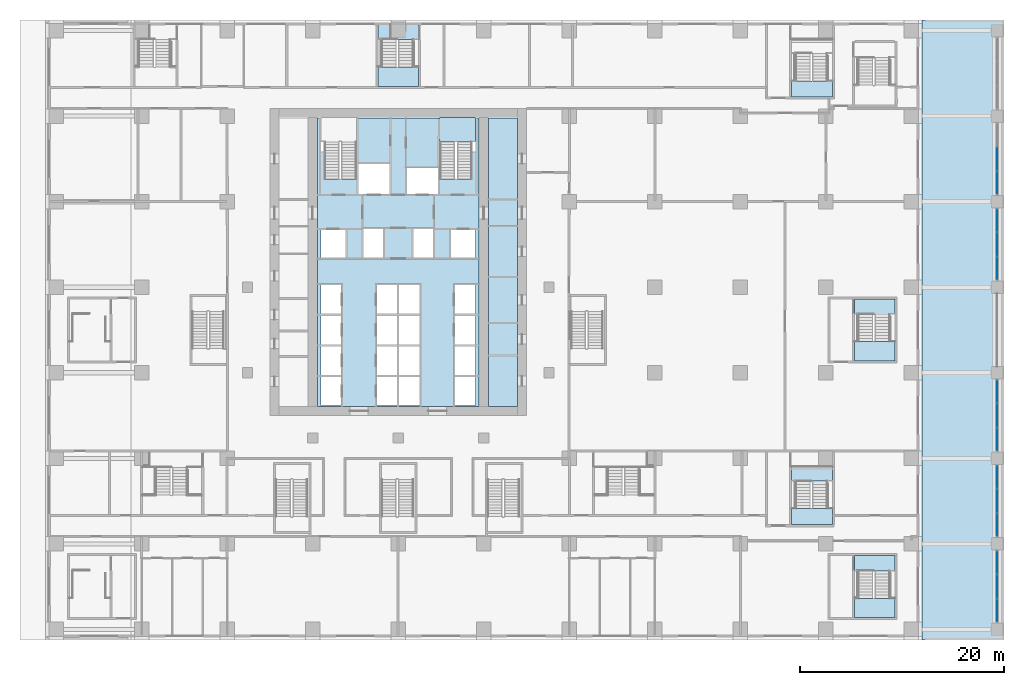
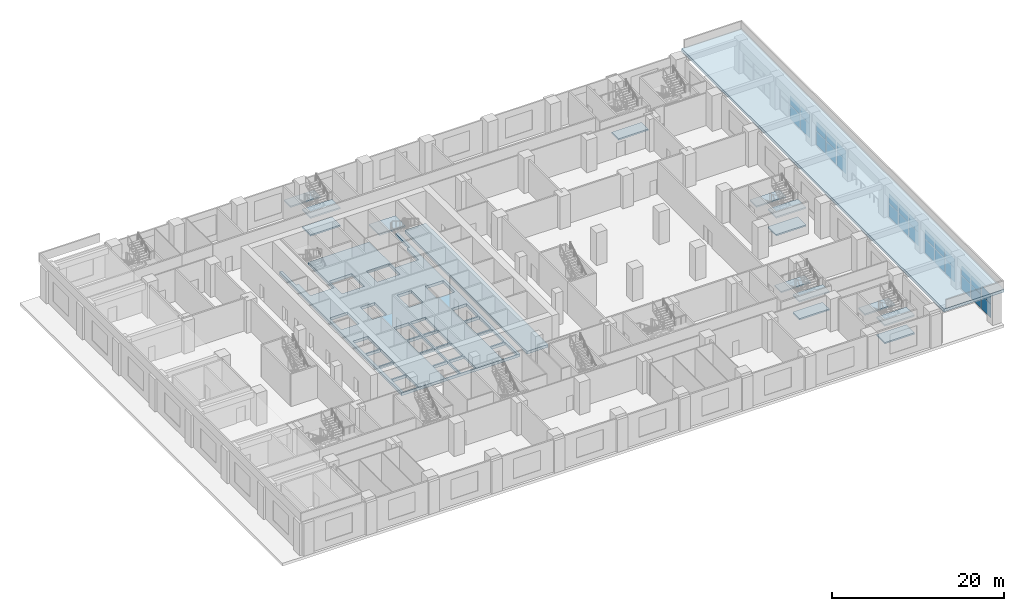
# One storey, part 6 of 29: 28 plates, 17 slabs, 11 elements without a shape of their own.
"""IFC4 building model written with IfcOpenShell, lengths in metres."""

from ifc_helpers import new_model, si_unit, direction, frame, origin, origin_2d, place, context, subcontext, project, spatial, polyline, rectangle, outline, extrude, material, layer, layer_set, type_object, element, aggregate, save


model = new_model("IFC4")

# Units and contexts
model_context = context("Model", 3, precision=1e-05, world=origin(), true_north=direction((0.0, 1.0)))
body_context = subcontext(model_context, "Body", "Model", "MODEL_VIEW")
ifc_project = project(units=[si_unit("LENGTHUNIT", "METRE"), si_unit("AREAUNIT", "SQUARE_METRE"), si_unit("VOLUMEUNIT", "CUBIC_METRE"), si_unit("PLANEANGLEUNIT", "RADIAN"), si_unit("MASSUNIT", "GRAM", prefix="KILO")], contexts=[model_context])

# Site, building, storey
site_placement = place(None, origin())
site = spatial("IfcSite", under=ifc_project, at=site_placement, CompositionType="ELEMENT")
building_placement = place(site_placement, origin())
building = spatial("IfcBuilding", under=site, at=building_placement, Name="Vermilion Ogive Tower", CompositionType="ELEMENT")
storey_placement = place(building_placement, frame((0.0, 0.0, 7.5)))
storey = spatial("IfcBuildingStorey", under=building, at=storey_placement, Name="L01", CompositionType="ELEMENT", Elevation=7.5)

# Curtain wall, plates
ifc_material_1 = material(Name="Clear double glazing in aluminium frame", Category="aluminium")
curtain_wall_type = type_object("IfcCurtainWallType", Name="Curtain wall CW2", PredefinedType="NOTDEFINED", material=ifc_material_1)
curtain_wall_1_placement = place(storey_placement, origin())
curtain_wall_1 = element("IfcCurtainWall", 1, at=curtain_wall_1_placement, inside=storey, type_object=curtain_wall_type, Name="CW2 arcade glazing L01 1", PredefinedType="NOTDEFINED")
ifc_material_2 = material(Name="Clear double glazing in aluminium frame", Category="aluminium")
ifc_layer_1 = layer(ifc_material_2, 0.031982421875)
ifc_layer_set_1 = layer_set([ifc_layer_1], Name="CW2 glazing panel 32")
plate_type = type_object("IfcPlateType", Name="CW2 glazing panel 32", PredefinedType="CURTAIN_PANEL", material=ifc_layer_set_1)
plate_1_placement = place(storey_placement, frame((58.800048828125, -27.554931640625, 0.06005859375), z_axis=(0.0, 0.0, 1.0), x_axis=(0.0, 1.0, 0.0)))
plate_1 = element("IfcPlate", 2, at=plate_1_placement, type_object=plate_type, Name="CW2-011 panel 1.1", PredefinedType="CURTAIN_PANEL", context=body_context, shape_type="SweptSolid", body=[
    extrude(rectangle(XDim=2.1298828125, YDim=0.031982421875, at=origin_2d()), origin(), (0.0, 0.0, 1.0), 1.949951171875),
])
plate_2_placement = place(storey_placement, frame((58.800048828125, -27.554931640625, 2.070068359375), z_axis=(0.0, 0.0, 1.0), x_axis=(0.0, 1.0, 0.0)))
plate_2 = element("IfcPlate", 3, at=plate_2_placement, type_object=plate_type, Name="CW2-011 panel 1.2", PredefinedType="CURTAIN_PANEL", context=body_context, shape_type="SweptSolid", body=[
    extrude(rectangle(XDim=2.1298828125, YDim=0.031982421875, at=origin_2d()), origin(), (0.0, 0.0, 1.0), 1.27001953125),
])
plate_3_placement = place(storey_placement, frame((58.800048828125, -25.199951171875, 0.06005859375), z_axis=(0.0, 0.0, 1.0), x_axis=(0.0, 1.0, 0.0)))
plate_3 = element("IfcPlate", 4, at=plate_3_placement, type_object=plate_type, Name="CW2-011 panel 2.1", PredefinedType="CURTAIN_PANEL", context=body_context, shape_type="SweptSolid", body=[
    extrude(rectangle(XDim=2.219970703125, YDim=0.031982421875, at=origin_2d()), origin(), (0.0, 0.0, 1.0), 1.949951171875),
])
plate_4_placement = place(storey_placement, frame((58.800048828125, -25.199951171875, 2.070068359375), z_axis=(0.0, 0.0, 1.0), x_axis=(0.0, 1.0, 0.0)))
plate_4 = element("IfcPlate", 5, at=plate_4_placement, type_object=plate_type, Name="CW2-011 panel 2.2", PredefinedType="CURTAIN_PANEL", context=body_context, shape_type="SweptSolid", body=[
    extrude(rectangle(XDim=2.219970703125, YDim=0.031982421875, at=origin_2d()), origin(), (0.0, 0.0, 1.0), 1.27001953125),
])
plate_5_placement = place(storey_placement, frame((58.800048828125, -22.844970703125, 0.06005859375), z_axis=(0.0, 0.0, 1.0), x_axis=(0.0, 1.0, 0.0)))
plate_5 = element("IfcPlate", 6, at=plate_5_placement, type_object=plate_type, Name="CW2-011 panel 3.1", PredefinedType="CURTAIN_PANEL", context=body_context, shape_type="SweptSolid", body=[
    extrude(rectangle(XDim=2.1298828125, YDim=0.031982421875, at=origin_2d()), origin(), (0.0, 0.0, 1.0), 1.949951171875),
])
plate_6_placement = place(storey_placement, frame((58.800048828125, -22.844970703125, 2.070068359375), z_axis=(0.0, 0.0, 1.0), x_axis=(0.0, 1.0, 0.0)))
plate_6 = element("IfcPlate", 7, at=plate_6_placement, type_object=plate_type, Name="CW2-011 panel 3.2", PredefinedType="CURTAIN_PANEL", context=body_context, shape_type="SweptSolid", body=[
    extrude(rectangle(XDim=2.1298828125, YDim=0.031982421875, at=origin_2d()), origin(), (0.0, 0.0, 1.0), 1.27001953125),
])
aggregate(curtain_wall_1, [plate_1, plate_2, plate_3, plate_4, plate_5, plate_6])

curtain_wall_2_placement = place(storey_placement, origin())
curtain_wall_2 = element("IfcCurtainWall", 8, at=curtain_wall_2_placement, inside=storey, type_object=curtain_wall_type, Name="CW2 arcade glazing L01 2", PredefinedType="NOTDEFINED")
plate_7_placement = place(storey_placement, frame((58.800048828125, -19.155029296875, 0.06005859375), z_axis=(0.0, 0.0, 1.0), x_axis=(0.0, 1.0, 0.0)))
plate_7 = element("IfcPlate", 9, at=plate_7_placement, type_object=plate_type, Name="CW2-012 panel 1.1", PredefinedType="CURTAIN_PANEL", context=body_context, shape_type="SweptSolid", body=[
    extrude(rectangle(XDim=2.1298828125, YDim=0.031982421875, at=origin_2d()), origin(), (0.0, 0.0, 1.0), 1.949951171875),
])
plate_8_placement = place(storey_placement, frame((58.800048828125, -19.155029296875, 2.070068359375), z_axis=(0.0, 0.0, 1.0), x_axis=(0.0, 1.0, 0.0)))
plate_8 = element("IfcPlate", 10, at=plate_8_placement, type_object=plate_type, Name="CW2-012 panel 1.2", PredefinedType="CURTAIN_PANEL", context=body_context, shape_type="SweptSolid", body=[
    extrude(rectangle(XDim=2.1298828125, YDim=0.031982421875, at=origin_2d()), origin(), (0.0, 0.0, 1.0), 1.27001953125),
])
plate_9_placement = place(storey_placement, frame((58.800048828125, -16.800048828125, 0.06005859375), z_axis=(0.0, 0.0, 1.0), x_axis=(0.0, 1.0, 0.0)))
plate_9 = element("IfcPlate", 11, at=plate_9_placement, type_object=plate_type, Name="CW2-012 panel 2.1", PredefinedType="CURTAIN_PANEL", context=body_context, shape_type="SweptSolid", body=[
    extrude(rectangle(XDim=2.219970703125, YDim=0.031982421875, at=origin_2d()), origin(), (0.0, 0.0, 1.0), 1.949951171875),
])
plate_10_placement = place(storey_placement, frame((58.800048828125, -16.800048828125, 2.070068359375), z_axis=(0.0, 0.0, 1.0), x_axis=(0.0, 1.0, 0.0)))
plate_10 = element("IfcPlate", 12, at=plate_10_placement, type_object=plate_type, Name="CW2-012 panel 2.2", PredefinedType="CURTAIN_PANEL", context=body_context, shape_type="SweptSolid", body=[
    extrude(rectangle(XDim=2.219970703125, YDim=0.031982421875, at=origin_2d()), origin(), (0.0, 0.0, 1.0), 1.27001953125),
])
plate_11_placement = place(storey_placement, frame((58.800048828125, -14.445068359375, 0.06005859375), z_axis=(0.0, 0.0, 1.0), x_axis=(0.0, 1.0, 0.0)))
plate_11 = element("IfcPlate", 13, at=plate_11_placement, type_object=plate_type, Name="CW2-012 panel 3.1", PredefinedType="CURTAIN_PANEL", context=body_context, shape_type="SweptSolid", body=[
    extrude(rectangle(XDim=2.1298828125, YDim=0.031982421875, at=origin_2d()), origin(), (0.0, 0.0, 1.0), 1.949951171875),
])
plate_12_placement = place(storey_placement, frame((58.800048828125, -14.445068359375, 2.070068359375), z_axis=(0.0, 0.0, 1.0), x_axis=(0.0, 1.0, 0.0)))
plate_12 = element("IfcPlate", 14, at=plate_12_placement, type_object=plate_type, Name="CW2-012 panel 3.2", PredefinedType="CURTAIN_PANEL", context=body_context, shape_type="SweptSolid", body=[
    extrude(rectangle(XDim=2.1298828125, YDim=0.031982421875, at=origin_2d()), origin(), (0.0, 0.0, 1.0), 1.27001953125),
])
aggregate(curtain_wall_2, [plate_7, plate_8, plate_9, plate_10, plate_11, plate_12])

curtain_wall_3_placement = place(storey_placement, origin())
curtain_wall_3 = element("IfcCurtainWall", 15, at=curtain_wall_3_placement, inside=storey, type_object=curtain_wall_type, Name="CW2 arcade glazing L01 3", PredefinedType="NOTDEFINED")
plate_13_placement = place(storey_placement, frame((58.800048828125, -10.7548828125, 0.06005859375), z_axis=(0.0, 0.0, 1.0), x_axis=(0.0, 1.0, 0.0)))
plate_13 = element("IfcPlate", 16, at=plate_13_placement, type_object=plate_type, Name="CW2-013 panel 1.1", PredefinedType="CURTAIN_PANEL", context=body_context, shape_type="SweptSolid", body=[
    extrude(rectangle(XDim=2.1298828125, YDim=0.031982421875, at=origin_2d()), origin(), (0.0, 0.0, 1.0), 1.949951171875),
])
plate_14_placement = place(storey_placement, frame((58.800048828125, -10.7548828125, 2.070068359375), z_axis=(0.0, 0.0, 1.0), x_axis=(0.0, 1.0, 0.0)))
plate_14 = element("IfcPlate", 17, at=plate_14_placement, type_object=plate_type, Name="CW2-013 panel 1.2", PredefinedType="CURTAIN_PANEL", context=body_context, shape_type="SweptSolid", body=[
    extrude(rectangle(XDim=2.1298828125, YDim=0.031982421875, at=origin_2d()), origin(), (0.0, 0.0, 1.0), 1.27001953125),
])
plate_15_placement = place(storey_placement, frame((58.800048828125, -8.39990234375, 0.06005859375), z_axis=(0.0, 0.0, 1.0), x_axis=(0.0, 1.0, 0.0)))
plate_15 = element("IfcPlate", 18, at=plate_15_placement, type_object=plate_type, Name="CW2-013 panel 2.1", PredefinedType="CURTAIN_PANEL", context=body_context, shape_type="SweptSolid", body=[
    extrude(rectangle(XDim=2.219970703125, YDim=0.031982421875, at=origin_2d()), origin(), (0.0, 0.0, 1.0), 1.949951171875),
])
plate_16_placement = place(storey_placement, frame((58.800048828125, -8.39990234375, 2.070068359375), z_axis=(0.0, 0.0, 1.0), x_axis=(0.0, 1.0, 0.0)))
plate_16 = element("IfcPlate", 19, at=plate_16_placement, type_object=plate_type, Name="CW2-013 panel 2.2", PredefinedType="CURTAIN_PANEL", context=body_context, shape_type="SweptSolid", body=[
    extrude(rectangle(XDim=2.219970703125, YDim=0.031982421875, at=origin_2d()), origin(), (0.0, 0.0, 1.0), 1.27001953125),
])
plate_17_placement = place(storey_placement, frame((58.800048828125, -6.044921875, 0.06005859375), z_axis=(0.0, 0.0, 1.0), x_axis=(0.0, 1.0, 0.0)))
plate_17 = element("IfcPlate", 20, at=plate_17_placement, type_object=plate_type, Name="CW2-013 panel 3.1", PredefinedType="CURTAIN_PANEL", context=body_context, shape_type="SweptSolid", body=[
    extrude(rectangle(XDim=2.1298828125, YDim=0.031982421875, at=origin_2d()), origin(), (0.0, 0.0, 1.0), 1.949951171875),
])
plate_18_placement = place(storey_placement, frame((58.800048828125, -6.044921875, 2.070068359375), z_axis=(0.0, 0.0, 1.0), x_axis=(0.0, 1.0, 0.0)))
plate_18 = element("IfcPlate", 21, at=plate_18_placement, type_object=plate_type, Name="CW2-013 panel 3.2", PredefinedType="CURTAIN_PANEL", context=body_context, shape_type="SweptSolid", body=[
    extrude(rectangle(XDim=2.1298828125, YDim=0.031982421875, at=origin_2d()), origin(), (0.0, 0.0, 1.0), 1.27001953125),
])
aggregate(curtain_wall_3, [plate_13, plate_14, plate_15, plate_16, plate_17, plate_18])

curtain_wall_4_placement = place(storey_placement, origin())
curtain_wall_4 = element("IfcCurtainWall", 22, at=curtain_wall_4_placement, inside=storey, type_object=curtain_wall_type, Name="CW2 arcade glazing L01 5", PredefinedType="NOTDEFINED")
plate_19_placement = place(storey_placement, frame((58.800048828125, 6.044921875, 0.06005859375), z_axis=(0.0, 0.0, 1.0), x_axis=(0.0, 1.0, 0.0)))
plate_19 = element("IfcPlate", 23, at=plate_19_placement, type_object=plate_type, Name="CW2-015 panel 1.1", PredefinedType="CURTAIN_PANEL", context=body_context, shape_type="SweptSolid", body=[
    extrude(rectangle(XDim=2.1298828125, YDim=0.031982421875, at=origin_2d()), origin(), (0.0, 0.0, 1.0), 1.949951171875),
])
plate_20_placement = place(storey_placement, frame((58.800048828125, 6.044921875, 2.070068359375), z_axis=(0.0, 0.0, 1.0), x_axis=(0.0, 1.0, 0.0)))
plate_20 = element("IfcPlate", 24, at=plate_20_placement, type_object=plate_type, Name="CW2-015 panel 1.2", PredefinedType="CURTAIN_PANEL", context=body_context, shape_type="SweptSolid", body=[
    extrude(rectangle(XDim=2.1298828125, YDim=0.031982421875, at=origin_2d()), origin(), (0.0, 0.0, 1.0), 1.27001953125),
])
plate_21_placement = place(storey_placement, frame((58.800048828125, 8.39990234375, 0.06005859375), z_axis=(0.0, 0.0, 1.0), x_axis=(0.0, 1.0, 0.0)))
plate_21 = element("IfcPlate", 25, at=plate_21_placement, type_object=plate_type, Name="CW2-015 panel 2.1", PredefinedType="CURTAIN_PANEL", context=body_context, shape_type="SweptSolid", body=[
    extrude(rectangle(XDim=2.219970703125, YDim=0.031982421875, at=origin_2d()), origin(), (0.0, 0.0, 1.0), 1.949951171875),
])
plate_22_placement = place(storey_placement, frame((58.800048828125, 8.39990234375, 2.070068359375), z_axis=(0.0, 0.0, 1.0), x_axis=(0.0, 1.0, 0.0)))
plate_22 = element("IfcPlate", 26, at=plate_22_placement, type_object=plate_type, Name="CW2-015 panel 2.2", PredefinedType="CURTAIN_PANEL", context=body_context, shape_type="SweptSolid", body=[
    extrude(rectangle(XDim=2.219970703125, YDim=0.031982421875, at=origin_2d()), origin(), (0.0, 0.0, 1.0), 1.27001953125),
])
plate_23_placement = place(storey_placement, frame((58.800048828125, 10.7548828125, 0.06005859375), z_axis=(0.0, 0.0, 1.0), x_axis=(0.0, 1.0, 0.0)))
plate_23 = element("IfcPlate", 27, at=plate_23_placement, type_object=plate_type, Name="CW2-015 panel 3.1", PredefinedType="CURTAIN_PANEL", context=body_context, shape_type="SweptSolid", body=[
    extrude(rectangle(XDim=2.1298828125, YDim=0.031982421875, at=origin_2d()), origin(), (0.0, 0.0, 1.0), 1.949951171875),
])
plate_24_placement = place(storey_placement, frame((58.800048828125, 10.7548828125, 2.070068359375), z_axis=(0.0, 0.0, 1.0), x_axis=(0.0, 1.0, 0.0)))
plate_24 = element("IfcPlate", 28, at=plate_24_placement, type_object=plate_type, Name="CW2-015 panel 3.2", PredefinedType="CURTAIN_PANEL", context=body_context, shape_type="SweptSolid", body=[
    extrude(rectangle(XDim=2.1298828125, YDim=0.031982421875, at=origin_2d()), origin(), (0.0, 0.0, 1.0), 1.27001953125),
])
aggregate(curtain_wall_4, [plate_19, plate_20, plate_21, plate_22, plate_23, plate_24])

curtain_wall_5_placement = place(storey_placement, origin())
curtain_wall_5 = element("IfcCurtainWall", 29, at=curtain_wall_5_placement, inside=storey, type_object=curtain_wall_type, Name="CW2 arcade glazing L01 6", PredefinedType="NOTDEFINED")
plate_25_placement = place(storey_placement, frame((58.800048828125, 14.445068359375, 0.06005859375), z_axis=(0.0, 0.0, 1.0), x_axis=(0.0, 1.0, 0.0)))
plate_25 = element("IfcPlate", 30, at=plate_25_placement, type_object=plate_type, Name="CW2-016 panel 1.1", PredefinedType="CURTAIN_PANEL", context=body_context, shape_type="SweptSolid", body=[
    extrude(rectangle(XDim=2.1298828125, YDim=0.031982421875, at=origin_2d()), origin(), (0.0, 0.0, 1.0), 1.949951171875),
])
plate_26_placement = place(storey_placement, frame((58.800048828125, 14.445068359375, 2.070068359375), z_axis=(0.0, 0.0, 1.0), x_axis=(0.0, 1.0, 0.0)))
plate_26 = element("IfcPlate", 31, at=plate_26_placement, type_object=plate_type, Name="CW2-016 panel 1.2", PredefinedType="CURTAIN_PANEL", context=body_context, shape_type="SweptSolid", body=[
    extrude(rectangle(XDim=2.1298828125, YDim=0.031982421875, at=origin_2d()), origin(), (0.0, 0.0, 1.0), 1.27001953125),
])
plate_27_placement = place(storey_placement, frame((58.800048828125, 16.800048828125, 0.06005859375), z_axis=(0.0, 0.0, 1.0), x_axis=(0.0, 1.0, 0.0)))
plate_27 = element("IfcPlate", 32, at=plate_27_placement, type_object=plate_type, Name="CW2-016 panel 2.1", PredefinedType="CURTAIN_PANEL", context=body_context, shape_type="SweptSolid", body=[
    extrude(rectangle(XDim=2.219970703125, YDim=0.031982421875, at=origin_2d()), origin(), (0.0, 0.0, 1.0), 1.949951171875),
])
plate_28_placement = place(storey_placement, frame((58.800048828125, 16.800048828125, 2.070068359375), z_axis=(0.0, 0.0, 1.0), x_axis=(0.0, 1.0, 0.0)))
plate_28 = element("IfcPlate", 33, at=plate_28_placement, type_object=plate_type, Name="CW2-016 panel 2.2", PredefinedType="CURTAIN_PANEL", context=body_context, shape_type="SweptSolid", body=[
    extrude(rectangle(XDim=2.219970703125, YDim=0.031982421875, at=origin_2d()), origin(), (0.0, 0.0, 1.0), 1.27001953125),
])
aggregate(curtain_wall_5, [plate_25, plate_26, plate_27, plate_28])

# Slabs
ifc_material_3 = material(Name="Concrete B40", Category="concrete")
ifc_layer_2 = layer(ifc_material_3, 0.39990234375)
ifc_layer_set_2 = layer_set([ifc_layer_2], Name="Core floor slab 400 B40")
slab_type_1 = type_object("IfcSlabType", Name="Core floor slab 400 B40", PredefinedType="FLOOR", material=ifc_layer_set_2)
slab_1_placement = place(storey_placement, frame((0.0, 0.0, -0.39990234375)))
element("IfcSlab", 34, at=slab_1_placement, inside=storey, type_object=slab_type_1, Name="L01-CK-FS2", PredefinedType="FLOOR", context=body_context, shape_type="SweptSolid", body=[
    extrude(outline(polyline([(5.75, 14.85009765625), (5.60009765625, 14.85009765625), (5.60009765625, 14.85205078125), (4.10009765625, 14.85205078125), (4.10009765625, 17.550048828125), (4.074951171875, 17.550048828125), (4.074951171875, 20.845947265625), (-4.10009765625, 20.845947265625), (-4.10009765625, 14.85205078125), (-5.60009765625, 14.85205078125), (-5.60009765625, 14.85009765625), (-5.75, 14.85009765625), (-5.75, 14.85205078125), (-7.25, 14.85205078125), (-7.25, 17.550048828125), (-7.60009765625, 17.550048828125), (-7.60009765625, 20.845947265625), (-7.946044921875, 20.845947265625), (-7.946044921875, -7.49609375), (7.946044921875, -7.49609375), (7.946044921875, 20.845947265625), (7.60009765625, 20.845947265625), (7.60009765625, 17.550048828125), (7.25, 17.550048828125), (7.25, 14.85205078125), (5.75, 14.85205078125), (5.75, 14.85009765625)]), holes=[polyline([(-5.60009765625, -4.60009765625), (-5.60009765625, -7.39990234375), (-7.60009765625, -7.39990234375), (-7.60009765625, -4.60009765625), (-5.60009765625, -4.60009765625)]), polyline([(-2.10009765625, -4.60009765625), (-0.10009765625, -4.60009765625), (-0.10009765625, -7.39990234375), (-2.10009765625, -7.39990234375), (-2.10009765625, -4.60009765625)]), polyline([(-7.60009765625, -1.60009765625), (-5.60009765625, -1.60009765625), (-5.60009765625, -4.39990234375), (-7.60009765625, -4.39990234375), (-7.60009765625, -1.60009765625)]), polyline([(-2.10009765625, -1.60009765625), (-0.10009765625, -1.60009765625), (-0.10009765625, -4.39990234375), (-2.10009765625, -4.39990234375), (-2.10009765625, -1.60009765625)]), polyline([(-7.60009765625, 1.39990234375), (-5.60009765625, 1.39990234375), (-5.60009765625, -1.39990234375), (-7.60009765625, -1.39990234375), (-7.60009765625, 1.39990234375)]), polyline([(-2.10009765625, 1.39990234375), (-0.10009765625, 1.39990234375), (-0.10009765625, -1.39990234375), (-2.10009765625, -1.39990234375), (-2.10009765625, 1.39990234375)]), polyline([(-2.10009765625, 4.39990234375), (-0.10009765625, 4.39990234375), (-0.10009765625, 1.60009765625), (-2.10009765625, 1.60009765625), (-2.10009765625, 4.39990234375)]), polyline([(-5.60009765625, 4.39990234375), (-5.60009765625, 1.60009765625), (-7.60009765625, 1.60009765625), (-7.60009765625, 4.39990234375), (-5.60009765625, 4.39990234375)]), polyline([(-5.199951171875, 9.800048828125), (-5.199951171875, 7.10009765625), (-7.60009765625, 7.10009765625), (-7.60009765625, 9.800048828125), (-5.199951171875, 9.800048828125)]), polyline([(-3.39990234375, 9.89990234375), (-1.5, 9.89990234375), (-1.5, 7.10009765625), (-3.39990234375, 7.10009765625), (-3.39990234375, 9.89990234375)]), polyline([(-3.89990234375, 16.300048828125), (-0.85009765625, 16.300048828125), (-0.85009765625, 13.35009765625), (-3.89990234375, 13.35009765625), (-3.89990234375, 16.300048828125)]), polyline([(7.60009765625, -4.60009765625), (7.60009765625, -7.39990234375), (5.60009765625, -7.39990234375), (5.60009765625, -4.60009765625), (7.60009765625, -4.60009765625)]), polyline([(0.10009765625, -4.60009765625), (2.10009765625, -4.60009765625), (2.10009765625, -7.39990234375), (0.10009765625, -7.39990234375), (0.10009765625, -4.60009765625)]), polyline([(5.60009765625, -1.60009765625), (7.60009765625, -1.60009765625), (7.60009765625, -4.39990234375), (5.60009765625, -4.39990234375), (5.60009765625, -1.60009765625)]), polyline([(0.10009765625, -1.60009765625), (2.10009765625, -1.60009765625), (2.10009765625, -4.39990234375), (0.10009765625, -4.39990234375), (0.10009765625, -1.60009765625)]), polyline([(5.60009765625, 1.39990234375), (7.60009765625, 1.39990234375), (7.60009765625, -1.39990234375), (5.60009765625, -1.39990234375), (5.60009765625, 1.39990234375)]), polyline([(0.10009765625, 1.39990234375), (2.10009765625, 1.39990234375), (2.10009765625, -1.39990234375), (0.10009765625, -1.39990234375), (0.10009765625, 1.39990234375)]), polyline([(5.60009765625, 4.39990234375), (7.60009765625, 4.39990234375), (7.60009765625, 1.60009765625), (5.60009765625, 1.60009765625), (5.60009765625, 4.39990234375)]), polyline([(2.10009765625, 4.39990234375), (2.10009765625, 1.60009765625), (0.10009765625, 1.60009765625), (0.10009765625, 4.39990234375), (2.10009765625, 4.39990234375)]), polyline([(7.60009765625, 9.800048828125), (7.60009765625, 7.10009765625), (5.199951171875, 7.10009765625), (5.199951171875, 9.800048828125), (7.60009765625, 9.800048828125)]), polyline([(1.5, 9.89990234375), (3.39990234375, 9.89990234375), (3.39990234375, 7.10009765625), (1.5, 7.10009765625), (1.5, 9.89990234375)]), polyline([(0.85009765625, 15.89990234375), (3.89990234375, 15.89990234375), (3.89990234375, 13.35009765625), (0.85009765625, 13.35009765625), (0.85009765625, 15.89990234375)])]), origin(), (0.0, 0.0, 1.0), 0.39990234375),
])
slab_2_placement = place(storey_placement, frame((0.0, 0.0, -0.39990234375)))
element("IfcSlab", 35, at=slab_2_placement, inside=storey, type_object=slab_type_1, Name="L01-CK-FS3", PredefinedType="FLOOR", context=body_context, shape_type="SweptSolid", body=[
    extrude(outline(polyline([(8.85400390625, 20.845947265625), (11.696044921875, 20.845947265625), (11.696044921875, -7.49609375), (8.85400390625, -7.49609375), (8.85400390625, 20.845947265625)])), origin(), (0.0, 0.0, 1.0), 0.39990234375),
])
ifc_material_4 = material(Name="Concrete B45", Category="concrete")
ifc_layer_3 = layer(ifc_material_4, 0.39990234375)
ifc_layer_set_3 = layer_set([ifc_layer_3], Name="Podium roof slab 400")
slab_type_2 = type_object("IfcSlabType", Name="Podium roof slab 400", PredefinedType="ROOF", material=ifc_layer_set_3)
slab_3_placement = place(storey_placement, frame((0.0, 0.0, 4.60009765625)))
element("IfcSlab", 36, at=slab_3_placement, inside=storey, type_object=slab_type_2, Name="L01 terrace roof 1", PredefinedType="ROOF", context=body_context, shape_type="SweptSolid", body=[
    extrude(outline(polyline([(59.5, 30.449951171875), (51.450927734375, 30.449951171875), (51.450927734375, -30.449951171875), (59.5, -30.449951171875), (59.5, 30.449951171875)])), origin(), (0.0, 0.0, 1.0), 0.39990234375),
])

# Stair, slab
ifc_material_5 = material(Name="Concrete B40", Category="concrete")
stair_type = type_object("IfcStairType", Name="Exit stair 1500", PredefinedType="HALF_TURN_STAIR", material=ifc_material_5)
stair_1_placement = place(storey_placement, origin())
stair_1 = element("IfcStair", 37, at=stair_1_placement, inside=storey, type_object=stair_type, Name="L01 Exit Stair ST2", PredefinedType="HALF_TURN_STAIR")
ifc_material_6 = material(Name="Concrete B40", Category="concrete")
ifc_layer_4 = layer(ifc_material_6, 0.199951171875)
ifc_layer_set_4 = layer_set([ifc_layer_4], Name="Stair landing 200")
slab_type_3 = type_object("IfcSlabType", Name="Stair landing 200", PredefinedType="LANDING", material=ifc_layer_set_4)
slab_4_placement = place(storey_placement, frame((0.0, 0.0, 2.300048828125)))
slab_4 = element("IfcSlab", 38, at=slab_4_placement, type_object=slab_type_3, Name="ST2 landing 1", PredefinedType="LANDING", context=body_context, shape_type="SweptSolid", body=[
    extrude(outline(polyline([(5.60009765625, 18.489990234375), (5.75, 18.489990234375), (5.75, 18.488037109375), (7.25, 18.488037109375), (7.25, 18.489990234375), (7.60009765625, 18.489990234375), (7.60009765625, 20.85009765625), (4.074951171875, 20.85009765625), (4.074951171875, 18.489990234375), (4.10009765625, 18.489990234375), (4.10009765625, 18.488037109375), (5.60009765625, 18.488037109375), (5.60009765625, 18.489990234375)])), origin(), (0.0, 0.0, 1.0), 0.199951171875),
])
aggregate(stair_1, [slab_4])

stair_2_placement = place(storey_placement, origin())
stair_2 = element("IfcStair", 39, at=stair_2_placement, inside=storey, type_object=stair_type, Name="L01 Exit Stair PS2", PredefinedType="HALF_TURN_STAIR")
slab_5_placement = place(storey_placement, frame((0.0, 0.0, 1.050048828125)))
slab_5 = element("IfcSlab", 40, at=slab_5_placement, type_object=slab_type_3, Name="PS2 landing 1", PredefinedType="LANDING", context=body_context, shape_type="SweptSolid", body=[
    extrude(outline(polyline([(42.64990234375, 24.449951171875), (42.14990234375, 24.449951171875), (42.14990234375, 24.451904296875), (40.64990234375, 24.451904296875), (40.64990234375, 24.449951171875), (40.5, 24.449951171875), (40.5, 24.451904296875), (39.0, 24.451904296875), (39.0, 24.449951171875), (38.650146484375, 24.449951171875), (38.650146484375, 22.875), (42.64990234375, 22.875), (42.64990234375, 24.449951171875)])), origin(), (0.0, 0.0, 1.0), 0.199951171875),
])
aggregate(stair_2, [slab_5])

# Stair, slabs
stair_3_placement = place(storey_placement, origin())
stair_3 = element("IfcStair", 41, at=stair_3_placement, inside=storey, type_object=stair_type, Name="L01 Exit Stair PS5", PredefinedType="HALF_TURN_STAIR")
slab_6_placement = place(storey_placement, frame((0.0, 0.0, 1.050048828125)))
slab_6 = element("IfcSlab", 42, at=slab_6_placement, type_object=slab_type_3, Name="PS5 landing 1", PredefinedType="LANDING", context=body_context, shape_type="SweptSolid", body=[
    extrude(outline(polyline([(2.0, 25.85009765625), (1.5, 25.85009765625), (1.5, 25.85205078125), (0.0, 25.85205078125), (0.0, 25.85009765625), (-0.14990234375, 25.85009765625), (-0.14990234375, 25.85205078125), (-1.64990234375, 25.85205078125), (-1.64990234375, 25.85009765625), (-2.0, 25.85009765625), (-2.0, 23.925048828125), (2.0, 23.925048828125), (2.0, 25.85009765625)])), origin(), (0.0, 0.0, 1.0), 0.199951171875),
])
slab_7_placement = place(storey_placement, frame((0.0, 0.0, 2.300048828125)))
slab_7 = element("IfcSlab", 43, at=slab_7_placement, type_object=slab_type_3, Name="PS5 landing 2", PredefinedType="LANDING", context=body_context, shape_type="SweptSolid", body=[
    extrude(outline(polyline([(-2.0, 28.550048828125), (-1.64990234375, 28.550048828125), (-1.64990234375, 28.548095703125), (-0.14990234375, 28.548095703125), (-0.14990234375, 28.550048828125), (0.0, 28.550048828125), (0.0, 28.548095703125), (1.5, 28.548095703125), (1.5, 28.550048828125), (2.0, 28.550048828125), (2.0, 30.050048828125), (-2.0, 30.050048828125), (-2.0, 28.550048828125)])), origin(), (0.0, 0.0, 1.0), 0.199951171875),
])
slab_8_placement = place(storey_placement, frame((0.0, 0.0, 3.550048828125)))
slab_8 = element("IfcSlab", 44, at=slab_8_placement, type_object=slab_type_3, Name="PS5 landing 3", PredefinedType="LANDING", context=body_context, shape_type="SweptSolid", body=[
    extrude(outline(polyline([(2.0, 25.85009765625), (1.5, 25.85009765625), (1.5, 25.85205078125), (0.0, 25.85205078125), (0.0, 25.85009765625), (-0.14990234375, 25.85009765625), (-0.14990234375, 25.85205078125), (-1.64990234375, 25.85205078125), (-1.64990234375, 25.85009765625), (-2.0, 25.85009765625), (-2.0, 23.925048828125), (2.0, 23.925048828125), (2.0, 25.85009765625)])), origin(), (0.0, 0.0, 1.0), 0.199951171875),
])
aggregate(stair_3, [slab_6, slab_7, slab_8])

stair_4_placement = place(storey_placement, origin())
stair_4 = element("IfcStair", 45, at=stair_4_placement, inside=storey, type_object=stair_type, Name="L01 Exit Stair PS6", PredefinedType="HALF_TURN_STAIR")
slab_9_placement = place(storey_placement, frame((0.0, 0.0, 1.050048828125)))
slab_9 = element("IfcSlab", 46, at=slab_9_placement, type_object=slab_type_3, Name="PS6 landing 1", PredefinedType="LANDING", context=body_context, shape_type="SweptSolid", body=[
    extrude(outline(polyline([(42.64990234375, -17.550048828125), (42.14990234375, -17.550048828125), (42.14990234375, -17.548095703125), (40.64990234375, -17.548095703125), (40.64990234375, -17.550048828125), (40.5, -17.550048828125), (40.5, -17.548095703125), (39.0, -17.548095703125), (39.0, -17.550048828125), (38.650146484375, -17.550048828125), (38.650146484375, -19.125), (42.64990234375, -19.125), (42.64990234375, -17.550048828125)])), origin(), (0.0, 0.0, 1.0), 0.199951171875),
])
slab_10_placement = place(storey_placement, frame((0.0, 0.0, 2.300048828125)))
slab_10 = element("IfcSlab", 47, at=slab_10_placement, type_object=slab_type_3, Name="PS6 landing 2", PredefinedType="LANDING", context=body_context, shape_type="SweptSolid", body=[
    extrude(outline(polyline([(38.650146484375, -14.85009765625), (39.0, -14.85009765625), (39.0, -14.85205078125), (40.5, -14.85205078125), (40.5, -14.85009765625), (40.64990234375, -14.85009765625), (40.64990234375, -14.85205078125), (42.14990234375, -14.85205078125), (42.14990234375, -14.85009765625), (42.64990234375, -14.85009765625), (42.64990234375, -13.35009765625), (38.650146484375, -13.35009765625), (38.650146484375, -14.85009765625)])), origin(), (0.0, 0.0, 1.0), 0.199951171875),
])
slab_11_placement = place(storey_placement, frame((0.0, 0.0, 3.550048828125)))
slab_11 = element("IfcSlab", 48, at=slab_11_placement, type_object=slab_type_3, Name="PS6 landing 3", PredefinedType="LANDING", context=body_context, shape_type="SweptSolid", body=[
    extrude(outline(polyline([(42.64990234375, -17.550048828125), (42.14990234375, -17.550048828125), (42.14990234375, -17.548095703125), (40.64990234375, -17.548095703125), (40.64990234375, -17.550048828125), (40.5, -17.550048828125), (40.5, -17.548095703125), (39.0, -17.548095703125), (39.0, -17.550048828125), (38.650146484375, -17.550048828125), (38.650146484375, -19.125), (42.64990234375, -19.125), (42.64990234375, -17.550048828125)])), origin(), (0.0, 0.0, 1.0), 0.199951171875),
])
aggregate(stair_4, [slab_9, slab_10, slab_11])

stair_5_placement = place(storey_placement, origin())
stair_5 = element("IfcStair", 49, at=stair_5_placement, inside=storey, type_object=stair_type, Name="L01 Exit Stair PEC", PredefinedType="HALF_TURN_STAIR")
slab_12_placement = place(storey_placement, frame((0.0, 0.0, 1.050048828125)))
slab_12 = element("IfcSlab", 50, at=slab_12_placement, type_object=slab_type_3, Name="PEC landing 1", PredefinedType="LANDING", context=body_context, shape_type="SweptSolid", body=[
    extrude(outline(polyline([(48.7998046875, -1.14990234375), (48.300048828125, -1.14990234375), (48.300048828125, -1.14794921875), (46.800048828125, -1.14794921875), (46.800048828125, -1.14990234375), (46.64990234375, -1.14990234375), (46.64990234375, -1.14794921875), (45.14990234375, -1.14794921875), (45.14990234375, -1.14990234375), (44.800048828125, -1.14990234375), (44.800048828125, -3.0498046875), (48.7998046875, -3.0498046875), (48.7998046875, -1.14990234375)])), origin(), (0.0, 0.0, 1.0), 0.199951171875),
])
slab_13_placement = place(storey_placement, frame((0.0, 0.0, 2.300048828125)))
slab_13 = element("IfcSlab", 51, at=slab_13_placement, type_object=slab_type_3, Name="PEC landing 2", PredefinedType="LANDING", context=body_context, shape_type="SweptSolid", body=[
    extrude(outline(polyline([(44.800048828125, 1.550048828125), (45.14990234375, 1.550048828125), (45.14990234375, 1.548095703125), (46.64990234375, 1.548095703125), (46.64990234375, 1.550048828125), (46.800048828125, 1.550048828125), (46.800048828125, 1.548095703125), (48.300048828125, 1.548095703125), (48.300048828125, 1.550048828125), (48.7998046875, 1.550048828125), (48.7998046875, 3.0498046875), (44.800048828125, 3.0498046875), (44.800048828125, 1.550048828125)])), origin(), (0.0, 0.0, 1.0), 0.199951171875),
])
slab_14_placement = place(storey_placement, frame((0.0, 0.0, 3.550048828125)))
slab_14 = element("IfcSlab", 52, at=slab_14_placement, type_object=slab_type_3, Name="PEC landing 3", PredefinedType="LANDING", context=body_context, shape_type="SweptSolid", body=[
    extrude(outline(polyline([(48.7998046875, -1.14990234375), (48.300048828125, -1.14990234375), (48.300048828125, -1.14794921875), (46.800048828125, -1.14794921875), (46.800048828125, -1.14990234375), (46.64990234375, -1.14990234375), (46.64990234375, -1.14794921875), (45.14990234375, -1.14794921875), (45.14990234375, -1.14990234375), (44.800048828125, -1.14990234375), (44.800048828125, -3.0498046875), (48.7998046875, -3.0498046875), (48.7998046875, -1.14990234375)])), origin(), (0.0, 0.0, 1.0), 0.199951171875),
])
aggregate(stair_5, [slab_12, slab_13, slab_14])

stair_6_placement = place(storey_placement, origin())
stair_6 = element("IfcStair", 53, at=stair_6_placement, inside=storey, type_object=stair_type, Name="L01 Exit Stair PES", PredefinedType="HALF_TURN_STAIR")
slab_15_placement = place(storey_placement, frame((0.0, 0.0, 1.050048828125)))
slab_15 = element("IfcSlab", 54, at=slab_15_placement, type_object=slab_type_3, Name="PES landing 1", PredefinedType="LANDING", context=body_context, shape_type="SweptSolid", body=[
    extrude(outline(polyline([(48.7998046875, -26.35009765625), (48.300048828125, -26.35009765625), (48.300048828125, -26.347900390625), (46.800048828125, -26.347900390625), (46.800048828125, -26.35009765625), (46.64990234375, -26.35009765625), (46.64990234375, -26.347900390625), (45.14990234375, -26.347900390625), (45.14990234375, -26.35009765625), (44.800048828125, -26.35009765625), (44.800048828125, -28.25), (48.7998046875, -28.25), (48.7998046875, -26.35009765625)])), origin(), (0.0, 0.0, 1.0), 0.199951171875),
])
slab_16_placement = place(storey_placement, frame((0.0, 0.0, 2.300048828125)))
slab_16 = element("IfcSlab", 55, at=slab_16_placement, type_object=slab_type_3, Name="PES landing 2", PredefinedType="LANDING", context=body_context, shape_type="SweptSolid", body=[
    extrude(outline(polyline([(44.800048828125, -23.64990234375), (45.14990234375, -23.64990234375), (45.14990234375, -23.652099609375), (46.64990234375, -23.652099609375), (46.64990234375, -23.64990234375), (46.800048828125, -23.64990234375), (46.800048828125, -23.652099609375), (48.300048828125, -23.652099609375), (48.300048828125, -23.64990234375), (48.7998046875, -23.64990234375), (48.7998046875, -22.150146484375), (44.800048828125, -22.150146484375), (44.800048828125, -23.64990234375)])), origin(), (0.0, 0.0, 1.0), 0.199951171875),
])
slab_17_placement = place(storey_placement, frame((0.0, 0.0, 3.550048828125)))
slab_17 = element("IfcSlab", 56, at=slab_17_placement, type_object=slab_type_3, Name="PES landing 3", PredefinedType="LANDING", context=body_context, shape_type="SweptSolid", body=[
    extrude(outline(polyline([(48.7998046875, -26.35009765625), (48.300048828125, -26.35009765625), (48.300048828125, -26.347900390625), (46.800048828125, -26.347900390625), (46.800048828125, -26.35009765625), (46.64990234375, -26.35009765625), (46.64990234375, -26.347900390625), (45.14990234375, -26.347900390625), (45.14990234375, -26.35009765625), (44.800048828125, -26.35009765625), (44.800048828125, -28.25), (48.7998046875, -28.25), (48.7998046875, -26.35009765625)])), origin(), (0.0, 0.0, 1.0), 0.199951171875),
])
aggregate(stair_6, [slab_15, slab_16, slab_17])

save(model, "model.ifc")
